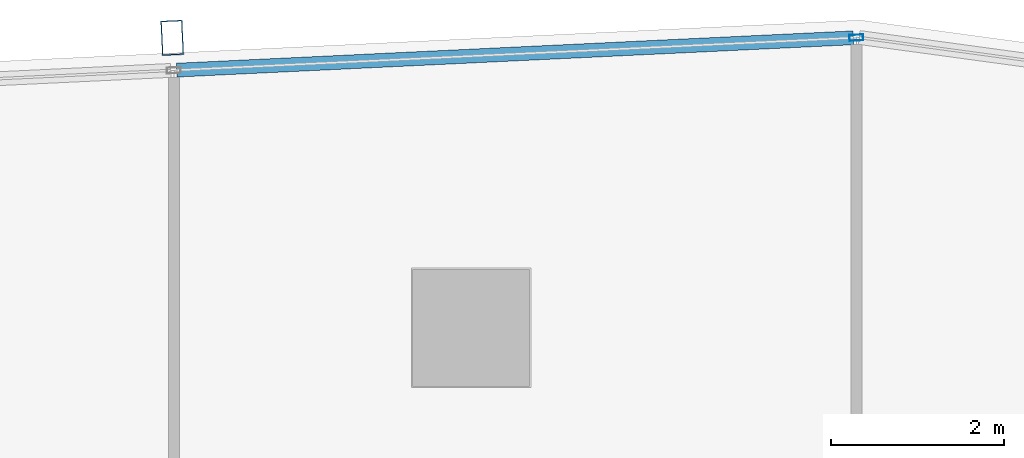
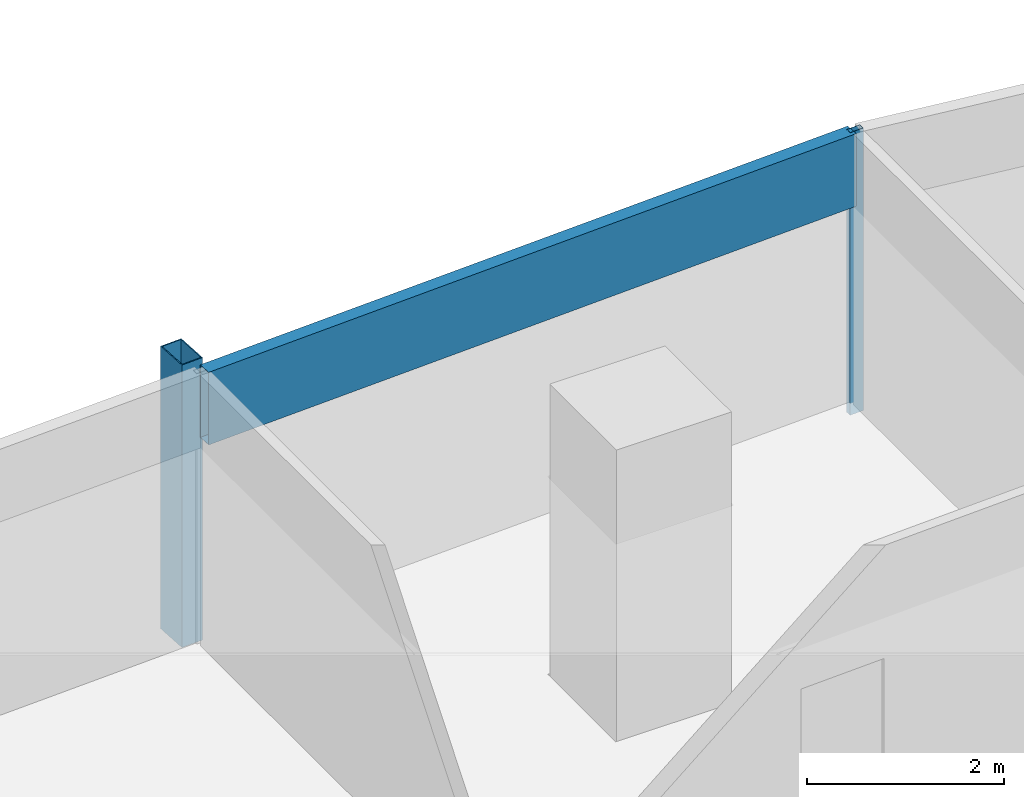
# One storey, part 25 of 39: 3 members, 1 element without a shape of its own.
"""IFC4 building model written with IfcOpenShell, lengths in metres."""

from ifc_helpers import new_model, si_unit, direction, frame, origin, origin_2d, place, context, subcontext, project, spatial, hollow_rectangle, extrude, material, material_profile, profile_set, type_object, element, aggregate, save


model = new_model("IFC4")

# Units and contexts
model_context = context("Model", 3, precision=1e-05, world=origin(), true_north=direction((0.0, 1.0)))
body_context = subcontext(model_context, "Body", "Model", "MODEL_VIEW")
ifc_project = project(units=[si_unit("LENGTHUNIT", "METRE"), si_unit("AREAUNIT", "SQUARE_METRE"), si_unit("VOLUMEUNIT", "CUBIC_METRE"), si_unit("PLANEANGLEUNIT", "RADIAN"), si_unit("MASSUNIT", "GRAM", prefix="KILO")], contexts=[model_context])

# Site, building, storey
site_placement = place(None, origin())
site = spatial("IfcSite", under=ifc_project, at=site_placement, CompositionType="ELEMENT")
building_placement = place(site_placement, origin())
building = spatial("IfcBuilding", under=site, at=building_placement, Name="Rekha Terrace Tower", CompositionType="ELEMENT")
storey_placement = place(building_placement, frame((0.0, 0.0, 217.699951171875)))
storey = spatial("IfcBuildingStorey", under=building, at=storey_placement, Name="L55", CompositionType="ELEMENT", Elevation=217.699951171875)

# Curtain wall, members
ifc_material_1 = material(Name="Aluminium framing", Category="aluminium")
curtain_wall_type = type_object("IfcCurtainWallType", Name="CW3 north unitised glazing", PredefinedType="USERDEFINED", material=ifc_material_1)
curtain_wall_placement = place(storey_placement, origin())
curtain_wall = element("IfcCurtainWall", 1, at=curtain_wall_placement, inside=storey, type_object=curtain_wall_type, Name="CW3 unitised curtain wall", ObjectType="UNITISED CURTAIN WALL", PredefinedType="USERDEFINED")
ifc_material_2 = material(Name="Steel S355 with fluorocarbon finish", Category="steel")
ifc_material_profile_1 = material_profile(ifc_material_2, hollow_rectangle(XDim=0.25, YDim=0.39990234375, WallThickness=0.012451171875, at=origin_2d()), Name="RHS400x250x12.5")
ifc_profile_set_1 = profile_set([ifc_material_profile_1], Name="Steel S355 with fluorocarbon finish")
member_type_1 = type_object("IfcMemberType", Name="BL1 facade blade RHS 400 x 250", PredefinedType="USERDEFINED", material=ifc_profile_set_1)
member_1_placement = place(storey_placement, frame((38.55224609375, 62.145751953125, 0.0), z_axis=(0.0, 0.0, 1.0), x_axis=(-0.998858913274, -0.04775846913, 0.0)))
member_1 = element("IfcMember", 2, at=member_1_placement, type_object=member_type_1, Name="Facade blade", ObjectType="FACADE BLADE", PredefinedType="USERDEFINED", context=body_context, shape_type="SweptSolid", body=[
    extrude(hollow_rectangle(XDim=0.25, YDim=0.39990234375, WallThickness=0.012451171875, at=origin_2d()), origin(), (0.0, 0.0, 1.0), 3.5),
])
ifc_material_3 = material(Name="Aluminium mullion section", Category="aluminium")
ifc_material_profile_2 = material_profile(ifc_material_3, hollow_rectangle(XDim=0.070068359375, YDim=0.159912109375, WallThickness=0.00390625, at=origin_2d()), Name="AL RHS 70x160")
ifc_profile_set_2 = profile_set([ifc_material_profile_2], Name="Aluminium mullion section")
member_type_2 = type_object("IfcMemberType", Name="CW3 mullion RHS 70 x 160", PredefinedType="MULLION", material=ifc_profile_set_2)
member_2_placement = place(storey_placement, frame((46.4443359375, 62.147705078125, 0.0), z_axis=(0.0, 0.0, 1.0), x_axis=(0.047758616983, -0.998858906204, 0.0)))
member_2 = element("IfcMember", 3, at=member_2_placement, type_object=member_type_2, Name="CW3 mullion 1", PredefinedType="MULLION", context=body_context, shape_type="SweptSolid", body=[
    extrude(hollow_rectangle(XDim=0.070068359375, YDim=0.159912109375, WallThickness=0.00390625, at=origin_2d()), origin(), (0.0, 0.0, 1.0), 3.5),
])
ifc_material_4 = material(Name="Insulated aluminium spandrel box", Category="aluminium")
ifc_material_profile_3 = material_profile(ifc_material_4, hollow_rectangle(XDim=0.159912109375, YDim=0.89990234375, WallThickness=0.0029296875, at=origin_2d()), Name="AL SPANDREL BOX 160x900")
ifc_profile_set_3 = profile_set([ifc_material_profile_3], Name="Insulated aluminium spandrel box")
member_type_3 = type_object("IfcMemberType", Name="CW3 spandrel transom 160 x 900", PredefinedType="USERDEFINED", material=ifc_profile_set_3)
member_3_placement = place(storey_placement, frame((46.4091796875, 62.14599609375, 3.050048828125), z_axis=(-0.998859425172, -0.047747761666, 0.0), x_axis=(0.047747761666, -0.998859425172, 0.0)))
member_3 = element("IfcMember", 4, at=member_3_placement, type_object=member_type_3, Name="CW3 spandrel transom 1", ObjectType="TRANSOM", PredefinedType="USERDEFINED", context=body_context, shape_type="SweptSolid", body=[
    extrude(hollow_rectangle(XDim=0.159912109375, YDim=0.89990234375, WallThickness=0.0029296875, at=origin_2d()), origin(), (0.0, 0.0, 1.0), 7.81298828125),
])
aggregate(curtain_wall, [member_2, member_3, member_1])

save(model, "model.ifc")
